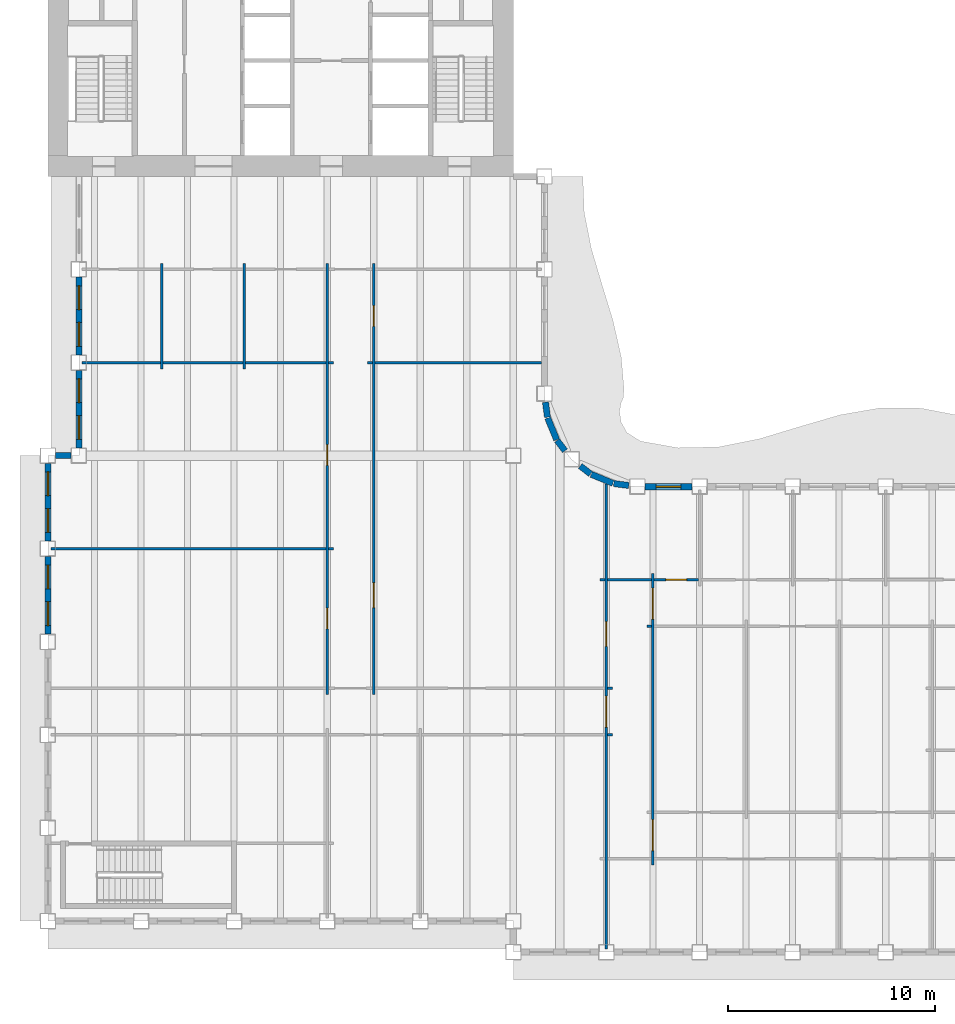
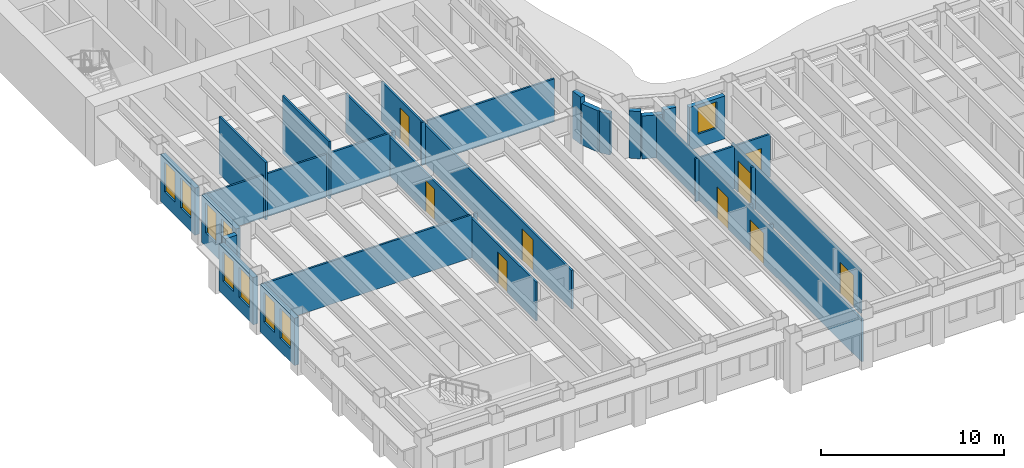
# One storey, part 4 of 16: 32 walls, 9 doors, 9 windows, 18 openings.
"""IFC4 building model written with IfcOpenShell, lengths in metres."""

from ifc_helpers import new_model, si_unit, direction, frame, frame_2d, origin, place, context, subcontext, project, spatial, rectangle, extrude, material, layer, layer_set, type_object, element, fill, save


model = new_model("IFC4")

# Units and contexts
model_context = context("Model", 3, precision=1e-05, world=origin(), true_north=direction((0.0, 1.0)))
body_context = subcontext(model_context, "Body", "Model", "MODEL_VIEW")
ifc_project = project(units=[si_unit("LENGTHUNIT", "METRE"), si_unit("AREAUNIT", "SQUARE_METRE"), si_unit("VOLUMEUNIT", "CUBIC_METRE"), si_unit("PLANEANGLEUNIT", "RADIAN"), si_unit("MASSUNIT", "GRAM", prefix="KILO")], contexts=[model_context])

# Site, building, storey
site_placement = place(None, origin())
site = spatial("IfcSite", under=ifc_project, at=site_placement, CompositionType="ELEMENT")
building_placement = place(site_placement, origin())
building = spatial("IfcBuilding", under=site, at=building_placement, Name="Sennacour Bend Tower", CompositionType="ELEMENT")
storey_placement = place(building_placement, frame((0.0, 0.0, 231.0)))
storey = spatial("IfcBuildingStorey", under=building, at=storey_placement, Name="L53", CompositionType="ELEMENT", Elevation=231.0)

# Walls
ifc_material_1 = material(Name="Plasterboard partition on steel studs", Category="steel")
ifc_layer_1 = layer(ifc_material_1, 0.1201171875, Name="Plasterboard partition on steel studs", Category="steel")
ifc_layer_set_1 = layer_set([ifc_layer_1], Name="Plasterboard partition on steel studs")
wall_type_1 = type_object("IfcWallType", Name="Partition 120", PredefinedType="PARTITIONING", material=ifc_layer_set_1)
for number, where, z_axis, x_axis, name in (
    (1, (5.5, 26.699951171875, 0.0), (0.0, 0.0, 1.0), (0.0, 1.0, 0.0), "P-L53-W007a"),
    (2, (9.5, 26.699951171875, 0.0), (0.0, 0.0, 1.0), (0.0, 1.0, 0.0), "P-L53-W012a"),
):
    element("IfcWall", number, at=place(storey_placement, frame(where, z_axis=z_axis, x_axis=x_axis)), inside=storey, type_object=wall_type_1, Name=name, PredefinedType="PARTITIONING", context=body_context, shape_type="SweptSolid", body=[
        extrude(rectangle(XDim=5.10009765625, YDim=0.1201171875, at=frame_2d((2.550048828125, 0.0))), origin(), (0.0, 0.0, 1.0), 3.85009765625),
    ])

# Wall, openings, doors
wall_1_placement = place(storey_placement, frame((13.5, 10.949951171875, 0.0), z_axis=(0.0, 0.0, 1.0), x_axis=(0.0, 1.0, 0.0)))
wall_1 = element("IfcWall", 3, at=wall_1_placement, inside=storey, type_object=wall_type_1, Name="P-L53-W016a", PredefinedType="PARTITIONING", context=body_context, shape_type="SweptSolid", body=[
    extrude(rectangle(XDim=20.85009765625, YDim=0.1201171875, at=frame_2d((10.425048828125, 0.0))), origin(), (0.0, 0.0, 1.0), 2.60009765625),
])
opening_1_placement = place(wall_1_placement, frame((3.175048828125, 0.0, 0.0)))
opening_1 = element("IfcOpeningElement", 4, at=opening_1_placement, cuts=wall_1, Name="Opening OD2", PredefinedType="OPENING", context=body_context, shape_type="SweptSolid", body=[
    extrude(rectangle(XDim=1.0, YDim=2.10009765625, at=frame_2d((0.5, 1.050048828125))), frame((0.0, 0.070068359375, 0.0), z_axis=(0.0, -1.0, 0.0), x_axis=(1.0, 0.0, 0.0)), (0.0, 0.0, 1.0), 0.14013671875),
])
opening_2_placement = place(wall_1_placement, frame((11.080078125, 0.0, 0.0)))
opening_2 = element("IfcOpeningElement", 5, at=opening_2_placement, cuts=wall_1, Name="Opening OD2", PredefinedType="OPENING", context=body_context, shape_type="SweptSolid", body=[
    extrude(rectangle(XDim=1.0, YDim=2.10009765625, at=frame_2d((0.5, 1.050048828125))), frame((0.0, 0.070068359375, 0.0), z_axis=(0.0, -1.0, 0.0), x_axis=(1.0, 0.0, 0.0)), (0.0, 0.0, 1.0), 0.14013671875),
])
ifc_material_2 = material(Name="Timber", Category="wood")
door_type_1 = type_object("IfcDoorType", Name="DR-OFFICE-1000", OperationType="NOTDEFINED", PredefinedType="DOOR", material=ifc_material_2)
door_1_placement = place(opening_1_placement, origin())
door_1 = element("IfcDoor", 6, at=door_1_placement, inside=storey, type_object=door_type_1, Name="Door", OperationType="SINGLE_SWING_LEFT", OverallHeight=2.10009765625, OverallWidth=1.0, PredefinedType="DOOR", context=body_context, shape_type="SweptSolid", body=[
    extrude(rectangle(XDim=1.0, YDim=2.10009765625, at=frame_2d((0.5, 1.050048828125))), frame((0.0, 0.02490234375, 0.0), z_axis=(0.0, -1.0, 0.0), x_axis=(1.0, 0.0, 0.0)), (0.0, 0.0, 1.0), 0.050048828125),
])
fill(opening_1, door_1)
door_2_placement = place(opening_2_placement, origin())
door_2 = element("IfcDoor", 7, at=door_2_placement, inside=storey, type_object=door_type_1, Name="Door", OperationType="SINGLE_SWING_RIGHT", OverallHeight=2.10009765625, OverallWidth=1.0, PredefinedType="DOOR", context=body_context, shape_type="SweptSolid", body=[
    extrude(rectangle(XDim=1.0, YDim=2.10009765625, at=frame_2d((0.5, 1.050048828125))), frame((0.0, 0.02490234375, 0.0), z_axis=(0.0, -1.0, 0.0), x_axis=(1.0, 0.0, 0.0)), (0.0, 0.0, 1.0), 0.050048828125),
])
fill(opening_2, door_2)

wall_2_placement = place(storey_placement, frame((15.75, 10.949951171875, 0.0), z_axis=(0.0, 0.0, 1.0), x_axis=(0.0, 1.0, 0.0)))
wall_2 = element("IfcWall", 8, at=wall_2_placement, inside=storey, type_object=wall_type_1, Name="P-L53-W019a", PredefinedType="PARTITIONING", context=body_context, shape_type="SweptSolid", body=[
    extrude(rectangle(XDim=20.85009765625, YDim=0.1201171875, at=frame_2d((10.425048828125, 0.0))), origin(), (0.0, 0.0, 1.0), 2.60009765625),
])
opening_3_placement = place(wall_2_placement, frame((17.800048828125, 0.0, 0.0)))
opening_3 = element("IfcOpeningElement", 9, at=opening_3_placement, cuts=wall_2, Name="Opening MD2", PredefinedType="OPENING", context=body_context, shape_type="SweptSolid", body=[
    extrude(rectangle(XDim=1.0, YDim=2.10009765625, at=frame_2d((0.5, 1.050048828125))), frame((0.0, 0.070068359375, 0.0), z_axis=(0.0, -1.0, 0.0), x_axis=(1.0, 0.0, 0.0)), (0.0, 0.0, 1.0), 0.14013671875),
])
opening_4_placement = place(wall_2_placement, frame((4.199951171875, 0.0, 0.0)))
opening_4 = element("IfcOpeningElement", 10, at=opening_4_placement, cuts=wall_2, Name="Opening OD", PredefinedType="OPENING", context=body_context, shape_type="SweptSolid", body=[
    extrude(rectangle(XDim=1.199951171875, YDim=2.10009765625, at=frame_2d((0.60009765625, 1.050048828125))), frame((0.0, 0.070068359375, 0.0), z_axis=(0.0, -1.0, 0.0), x_axis=(1.0, 0.0, 0.0)), (0.0, 0.0, 1.0), 0.14013671875),
])
door_type_2 = type_object("IfcDoorType", Name="DR-MEETING-1000", OperationType="NOTDEFINED", PredefinedType="DOOR", material=ifc_material_2)
door_3_placement = place(opening_3_placement, origin())
door_3 = element("IfcDoor", 11, at=door_3_placement, inside=storey, type_object=door_type_2, Name="Door", OperationType="SINGLE_SWING_RIGHT", OverallHeight=2.10009765625, OverallWidth=1.0, PredefinedType="DOOR", context=body_context, shape_type="SweptSolid", body=[
    extrude(rectangle(XDim=1.0, YDim=2.10009765625, at=frame_2d((0.5, 1.050048828125))), frame((0.0, 0.02490234375, 0.0), z_axis=(0.0, -1.0, 0.0), x_axis=(1.0, 0.0, 0.0)), (0.0, 0.0, 1.0), 0.050048828125),
])
fill(opening_3, door_3)
door_type_3 = type_object("IfcDoorType", Name="DR-OFFICE-1200", OperationType="NOTDEFINED", PredefinedType="DOOR", material=ifc_material_2)
door_4_placement = place(opening_4_placement, origin())
door_4 = element("IfcDoor", 12, at=door_4_placement, inside=storey, type_object=door_type_3, Name="Door", OperationType="SINGLE_SWING_LEFT", OverallHeight=2.10009765625, OverallWidth=1.199951171875, PredefinedType="DOOR", context=body_context, shape_type="SweptSolid", body=[
    extrude(rectangle(XDim=1.199951171875, YDim=2.10009765625, at=frame_2d((0.60009765625, 1.050048828125))), frame((0.0, 0.02490234375, 0.0), z_axis=(0.0, -1.0, 0.0), x_axis=(1.0, 0.0, 0.0)), (0.0, 0.0, 1.0), 0.050048828125),
])
fill(opening_4, door_4)

# Walls
for number, where, z_axis, x_axis, name in (
    (13, (27.06005859375, 9.0, 0.0), (0.0, 0.0, 1.0), (1.0, 0.0, 0.0), "P-L53-W062ad"),
    (14, (27.06005859375, 11.25, 0.0), (0.0, 0.0, 1.0), (1.0, 0.0, 0.0), "P-L53-W065ad"),
    (15, (28.949951171875, 14.25, 0.0), (0.0, 0.0, 1.0), (1.0, 0.0, 0.0), "P-L53-W069aa"),
    (16, (26.699951171875, 16.5, 0.0), (0.0, 0.0, 1.0), (1.0, 0.0, 0.0), "P-L53-W072aa"),
):
    element("IfcWall", number, at=place(storey_placement, frame(where, z_axis=z_axis, x_axis=x_axis)), inside=storey, type_object=wall_type_1, Name=name, PredefinedType="PARTITIONING", context=body_context, shape_type="SweptSolid", body=[
        extrude(rectangle(XDim=0.239990234375, YDim=0.1201171875, at=frame_2d((0.1201171875, 0.0))), origin(), (0.0, 0.0, 1.0), 2.8701171875),
    ])
wall_3_placement = place(storey_placement, frame((27.06005859375, 16.5, 0.0), z_axis=(0.0, 0.0, 1.0), x_axis=(1.0, 0.0, 0.0)))
element("IfcWall", 17, at=wall_3_placement, inside=storey, type_object=wall_type_1, Name="P-L53-W072ab", PredefinedType="PARTITIONING", context=body_context, shape_type="SweptSolid", body=[
    extrude(rectangle(XDim=2.1298828125, YDim=0.1201171875, at=frame_2d((1.06494140625, 0.0))), origin(), (0.0, 0.0, 1.0), 2.8701171875),
])

# Wall, opening, door
wall_4_placement = place(storey_placement, frame((29.31005859375, 16.5, 0.0), z_axis=(0.0, 0.0, 1.0), x_axis=(1.0, 0.0, 0.0)))
wall_4 = element("IfcWall", 18, at=wall_4_placement, inside=storey, type_object=wall_type_1, Name="P-L53-W072ac", PredefinedType="PARTITIONING", context=body_context, shape_type="SweptSolid", body=[
    extrude(rectangle(XDim=2.1298828125, YDim=0.1201171875, at=frame_2d((1.06494140625, 0.0))), origin(), (0.0, 0.0, 1.0), 2.8701171875),
])
opening_5_placement = place(wall_4_placement, frame((0.56494140625, 0.0, 0.0)))
opening_5 = element("IfcOpeningElement", 19, at=opening_5_placement, cuts=wall_4, Name="Opening OD2", PredefinedType="OPENING", context=body_context, shape_type="SweptSolid", body=[
    extrude(rectangle(XDim=1.0, YDim=2.10009765625, at=frame_2d((0.5, 1.050048828125))), frame((0.0, 0.070068359375, 0.0), z_axis=(0.0, -1.0, 0.0), x_axis=(1.0, 0.0, 0.0)), (0.0, 0.0, 1.0), 0.14013671875),
])
door_5_placement = place(opening_5_placement, origin())
door_5 = element("IfcDoor", 20, at=door_5_placement, inside=storey, type_object=door_type_1, Name="Door", OperationType="SINGLE_SWING_LEFT", OverallHeight=2.10009765625, OverallWidth=1.0, PredefinedType="DOOR", context=body_context, shape_type="SweptSolid", body=[
    extrude(rectangle(XDim=1.0, YDim=2.10009765625, at=frame_2d((0.5, 1.050048828125))), frame((0.0, 0.02490234375, 0.0), z_axis=(0.0, -1.0, 0.0), x_axis=(1.0, 0.0, 0.0)), (0.0, 0.0, 1.0), 0.050048828125),
])
fill(opening_5, door_5)

# Walls
wall_5_placement = place(storey_placement, frame((0.14990234375, 18.0, 0.0), z_axis=(0.0, 0.0, 1.0), x_axis=(1.0, 0.0, 0.0)))
element("IfcWall", 21, at=wall_5_placement, inside=storey, type_object=wall_type_1, Name="P-L53-W073aa", PredefinedType="PARTITIONING", context=body_context, shape_type="SweptSolid", body=[
    extrude(rectangle(XDim=13.2900390625, YDim=0.1201171875, at=frame_2d((6.64501953125, 0.0))), origin(), (0.0, 0.0, 1.0), 2.8701171875),
])
wall_6_placement = place(storey_placement, frame((13.56005859375, 18.0, 0.0), z_axis=(0.0, 0.0, 1.0), x_axis=(1.0, 0.0, 0.0)))
element("IfcWall", 22, at=wall_6_placement, inside=storey, type_object=wall_type_1, Name="P-L53-W073ab", PredefinedType="PARTITIONING", context=body_context, shape_type="SweptSolid", body=[
    extrude(rectangle(XDim=0.239990234375, YDim=0.1201171875, at=frame_2d((0.1201171875, 0.0))), origin(), (0.0, 0.0, 1.0), 2.8701171875),
])
wall_7_placement = place(storey_placement, frame((1.64990234375, 27.0, 0.0), z_axis=(0.0, 0.0, 1.0), x_axis=(1.0, 0.0, 0.0)))
element("IfcWall", 23, at=wall_7_placement, inside=storey, type_object=wall_type_1, Name="P-L53-W080aa", PredefinedType="PARTITIONING", context=body_context, shape_type="SweptSolid", body=[
    extrude(rectangle(XDim=3.7900390625, YDim=0.1201171875, at=frame_2d((1.89501953125, 0.0))), origin(), (0.0, 0.0, 1.0), 2.8701171875),
])
for number, where, z_axis, x_axis, name in (
    (24, (5.56005859375, 27.0, 0.0), (0.0, 0.0, 1.0), (1.0, 0.0, 0.0), "P-L53-W080ab"),
    (25, (9.56005859375, 27.0, 0.0), (0.0, 0.0, 1.0), (1.0, 0.0, 0.0), "P-L53-W080ac"),
):
    element("IfcWall", number, at=place(storey_placement, frame(where, z_axis=z_axis, x_axis=x_axis)), inside=storey, type_object=wall_type_1, Name=name, PredefinedType="PARTITIONING", context=body_context, shape_type="SweptSolid", body=[
        extrude(rectangle(XDim=3.8798828125, YDim=0.1201171875, at=frame_2d((1.93994140625, 0.0))), origin(), (0.0, 0.0, 1.0), 2.8701171875),
    ])
for number, where, z_axis, x_axis, name in (
    (26, (13.56005859375, 27.0, 0.0), (0.0, 0.0, 1.0), (1.0, 0.0, 0.0), "P-L53-W080ad"),
    (27, (15.449951171875, 27.0, 0.0), (0.0, 0.0, 1.0), (1.0, 0.0, 0.0), "P-L53-W081aa"),
):
    element("IfcWall", number, at=place(storey_placement, frame(where, z_axis=z_axis, x_axis=x_axis)), inside=storey, type_object=wall_type_1, Name=name, PredefinedType="PARTITIONING", context=body_context, shape_type="SweptSolid", body=[
        extrude(rectangle(XDim=0.239990234375, YDim=0.1201171875, at=frame_2d((0.1201171875, 0.0))), origin(), (0.0, 0.0, 1.0), 2.8701171875),
    ])
wall_8_placement = place(storey_placement, frame((15.81005859375, 27.0, 0.0), z_axis=(0.0, 0.0, 1.0), x_axis=(1.0, 0.0, 0.0)))
element("IfcWall", 28, at=wall_8_placement, inside=storey, type_object=wall_type_1, Name="P-L53-W081ab", PredefinedType="PARTITIONING", context=body_context, shape_type="SweptSolid", body=[
    extrude(rectangle(XDim=8.0400390625, YDim=0.1201171875, at=frame_2d((4.02001953125, 0.0))), origin(), (0.0, 0.0, 1.0), 2.8701171875),
])

# Wall, openings, doors
ifc_layer_2 = layer(ifc_material_1, 0.1201171875, Name="Plasterboard partition on steel studs", Category="steel")
ifc_layer_set_2 = layer_set([ifc_layer_2], Name="Plasterboard partition on steel studs")
wall_type_2 = type_object("IfcWallType", Name="Partition 120 EI 30", PredefinedType="PARTITIONING", material=ifc_layer_set_2)
wall_9_placement = place(storey_placement, frame((27.0, -1.35009765625, 0.0), z_axis=(0.0, 0.0, 1.0), x_axis=(0.0, 1.0, 0.0)))
wall_9 = element("IfcWall", 29, at=wall_9_placement, inside=storey, type_object=wall_type_2, Name="P-L53-W026a", PredefinedType="PARTITIONING", context=body_context, shape_type="SweptSolid", body=[
    extrude(rectangle(XDim=22.47998046875, YDim=0.1201171875, at=frame_2d((11.239990234375, 0.0))), origin(), (0.0, 0.0, 1.0), 2.8701171875),
])
opening_6_placement = place(wall_9_placement, frame((10.72509765625, 0.0, 0.0)))
opening_6 = element("IfcOpeningElement", 30, at=opening_6_placement, cuts=wall_9, Name="Opening KD", PredefinedType="OPENING", context=body_context, shape_type="SweptSolid", body=[
    extrude(rectangle(XDim=1.5, YDim=2.10009765625, at=frame_2d((0.75, 1.050048828125))), frame((0.0, 0.070068359375, 0.0), z_axis=(0.0, -1.0, 0.0), x_axis=(1.0, 0.0, 0.0)), (0.0, 0.0, 1.0), 0.14013671875),
])
opening_7_placement = place(wall_9_placement, frame((14.625, 0.0, 0.0)))
opening_7 = element("IfcOpeningElement", 31, at=opening_7_placement, cuts=wall_9, Name="Opening OD", PredefinedType="OPENING", context=body_context, shape_type="SweptSolid", body=[
    extrude(rectangle(XDim=1.199951171875, YDim=2.10009765625, at=frame_2d((0.60009765625, 1.050048828125))), frame((0.0, 0.070068359375, 0.0), z_axis=(0.0, -1.0, 0.0), x_axis=(1.0, 0.0, 0.0)), (0.0, 0.0, 1.0), 0.14013671875),
])
ifc_material_3 = material(Name="Painted steel", Category="steel")
door_type_4 = type_object("IfcDoorType", Name="DR-CORRIDOR-1500", OperationType="NOTDEFINED", PredefinedType="DOOR", material=ifc_material_3)
door_6_placement = place(opening_6_placement, origin())
door_6 = element("IfcDoor", 32, at=door_6_placement, inside=storey, type_object=door_type_4, Name="Door", OperationType="SINGLE_SWING_RIGHT", OverallHeight=2.10009765625, OverallWidth=1.5, PredefinedType="DOOR", context=body_context, shape_type="SweptSolid", body=[
    extrude(rectangle(XDim=1.5, YDim=2.10009765625, at=frame_2d((0.75, 1.050048828125))), frame((0.0, 0.02490234375, 0.0), z_axis=(0.0, -1.0, 0.0), x_axis=(1.0, 0.0, 0.0)), (0.0, 0.0, 1.0), 0.050048828125),
])
fill(opening_6, door_6)
door_7_placement = place(opening_7_placement, origin())
door_7 = element("IfcDoor", 33, at=door_7_placement, inside=storey, type_object=door_type_3, Name="Door", OperationType="SINGLE_SWING_RIGHT", OverallHeight=2.10009765625, OverallWidth=1.199951171875, PredefinedType="DOOR", context=body_context, shape_type="SweptSolid", body=[
    extrude(rectangle(XDim=1.199951171875, YDim=2.10009765625, at=frame_2d((0.60009765625, 1.050048828125))), frame((0.0, 0.02490234375, 0.0), z_axis=(0.0, -1.0, 0.0), x_axis=(1.0, 0.0, 0.0)), (0.0, 0.0, 1.0), 0.050048828125),
])
fill(opening_7, door_7)

wall_10_placement = place(storey_placement, frame((29.25, 2.699951171875, 0.0), z_axis=(0.0, 0.0, 1.0), x_axis=(0.0, 1.0, 0.0)))
wall_10 = element("IfcWall", 34, at=wall_10_placement, inside=storey, type_object=wall_type_2, Name="P-L53-W027a", PredefinedType="PARTITIONING", context=body_context, shape_type="SweptSolid", body=[
    extrude(rectangle(XDim=14.10009765625, YDim=0.1201171875, at=frame_2d((7.050048828125, 0.0))), origin(), (0.0, 0.0, 1.0), 2.8701171875),
])
opening_8_placement = place(wall_10_placement, frame((0.705078125, 0.0, 0.0)))
opening_8 = element("IfcOpeningElement", 35, at=opening_8_placement, cuts=wall_10, Name="Opening KD", PredefinedType="OPENING", context=body_context, shape_type="SweptSolid", body=[
    extrude(rectangle(XDim=1.5, YDim=2.10009765625, at=frame_2d((0.75, 1.050048828125))), frame((0.0, 0.070068359375, 0.0), z_axis=(0.0, -1.0, 0.0), x_axis=(1.0, 0.0, 0.0)), (0.0, 0.0, 1.0), 0.14013671875),
])
opening_9_placement = place(wall_10_placement, frame((11.89501953125, 0.0, 0.0)))
opening_9 = element("IfcOpeningElement", 36, at=opening_9_placement, cuts=wall_10, Name="Opening KD", PredefinedType="OPENING", context=body_context, shape_type="SweptSolid", body=[
    extrude(rectangle(XDim=1.5, YDim=2.10009765625, at=frame_2d((0.75, 1.050048828125))), frame((0.0, 0.070068359375, 0.0), z_axis=(0.0, -1.0, 0.0), x_axis=(1.0, 0.0, 0.0)), (0.0, 0.0, 1.0), 0.14013671875),
])
door_8_placement = place(opening_8_placement, origin())
door_8 = element("IfcDoor", 37, at=door_8_placement, inside=storey, type_object=door_type_4, Name="Door", OperationType="SINGLE_SWING_LEFT", OverallHeight=2.10009765625, OverallWidth=1.5, PredefinedType="DOOR", context=body_context, shape_type="SweptSolid", body=[
    extrude(rectangle(XDim=1.5, YDim=2.10009765625, at=frame_2d((0.75, 1.050048828125))), frame((0.0, 0.02490234375, 0.0), z_axis=(0.0, -1.0, 0.0), x_axis=(1.0, 0.0, 0.0)), (0.0, 0.0, 1.0), 0.050048828125),
])
fill(opening_8, door_8)
door_9_placement = place(opening_9_placement, origin())
door_9 = element("IfcDoor", 38, at=door_9_placement, inside=storey, type_object=door_type_4, Name="Door", OperationType="SINGLE_SWING_RIGHT", OverallHeight=2.10009765625, OverallWidth=1.5, PredefinedType="DOOR", context=body_context, shape_type="SweptSolid", body=[
    extrude(rectangle(XDim=1.5, YDim=2.10009765625, at=frame_2d((0.75, 1.050048828125))), frame((0.0, 0.02490234375, 0.0), z_axis=(0.0, -1.0, 0.0), x_axis=(1.0, 0.0, 0.0)), (0.0, 0.0, 1.0), 0.050048828125),
])
fill(opening_9, door_9)

# Wall, opening, window
ifc_material_4 = material(Name="Warm limestone cladding", Category="masonry")
ifc_layer_3 = layer(ifc_material_4, 0.050048828125, Name="Warm limestone cladding", Category="masonry")
ifc_material_5 = material(Name="Precast concrete C40/50", Category="concrete")
ifc_layer_4 = layer(ifc_material_5, 0.25, Name="Precast concrete C40/50", Category="concrete")
ifc_layer_set_3 = layer_set([ifc_layer_3, ifc_layer_4], Name="Precast concrete C40/50 with limestone cladding")
wall_type_3 = type_object("IfcWallType", Name="STONE-CLAD PRECAST SPANDREL 300", PredefinedType="STANDARD", material=ifc_layer_set_3)
wall_11_placement = place(storey_placement, frame((31.125, 21.0, 0.0), z_axis=(0.0, 0.0, 1.0), x_axis=(-1.0, 0.0, 0.0)))
wall_11 = element("IfcWall", 39, at=wall_11_placement, inside=storey, type_object=wall_type_3, Name="Stone spandrel and pier wall L53 06.05", PredefinedType="STANDARD", context=body_context, shape_type="SweptSolid", body=[
    extrude(rectangle(XDim=2.25, YDim=0.300048828125, at=frame_2d((1.125, 0.0))), origin(), (0.0, 0.0, 1.0), 2.8701171875),
])
opening_10_placement = place(wall_11_placement, frame((0.52490234375, 0.0, 0.89990234375)))
opening_10 = element("IfcOpeningElement", 40, at=opening_10_placement, cuts=wall_11, Name="Opening W16", PredefinedType="OPENING", context=body_context, shape_type="SweptSolid", body=[
    extrude(rectangle(XDim=1.199951171875, YDim=1.75, at=frame_2d((0.60009765625, 0.875))), frame((0.0, 0.16015625, 0.0), z_axis=(0.0, -1.0, 0.0), x_axis=(1.0, 0.0, 0.0)), (0.0, 0.0, 1.0), 0.320068359375),
])
ifc_material_6 = material(Name="Clear low-emissivity glass", Category="glass")
window_type_1 = type_object("IfcWindowType", Name="WIN-RIBBON-1200x1750", PartitioningType="SINGLE_PANEL", PredefinedType="WINDOW", material=ifc_material_6)
window_1_placement = place(opening_10_placement, origin())
window_1 = element("IfcWindow", 41, at=window_1_placement, inside=storey, type_object=window_type_1, Name="Ribbon window L53 06.05", OverallHeight=1.75, OverallWidth=1.199951171875, PartitioningType="SINGLE_PANEL", PredefinedType="WINDOW", context=body_context, shape_type="SweptSolid", body=[
    extrude(rectangle(XDim=1.199951171875, YDim=1.75, at=frame_2d((0.60009765625, 0.875))), frame((0.0, 0.030029296875, 0.0), z_axis=(0.0, -1.0, 0.0), x_axis=(1.0, 0.0, 0.0)), (0.0, 0.0, 1.0), 0.06005859375),
])
fill(opening_10, window_1)

# Walls
wall_12_placement = place(storey_placement, frame((28.0830078125, 21.054931640625, 0.0), z_axis=(0.0, 0.0, 1.0), x_axis=(-0.99142711513, 0.130660917588, 0.0)))
element("IfcWall", 42, at=wall_12_placement, inside=storey, type_object=wall_type_3, Name="Stone spandrel and pier wall L53 07.00", PredefinedType="STANDARD", context=body_context, shape_type="SweptSolid", body=[
    extrude(rectangle(XDim=0.734375, YDim=0.300048828125, at=frame_2d((0.3671875, 0.0))), origin(), (0.0, 0.0, 1.0), 3.156982421875),
])
wall_13_placement = place(storey_placement, frame((27.317138671875, 21.160888671875, 0.0), z_axis=(0.0, 0.0, 1.0), x_axis=(-0.923914616768, 0.382598720491, 0.0)))
element("IfcWall", 43, at=wall_13_placement, inside=storey, type_object=wall_type_3, Name="Stone spandrel and pier wall L53 08.00", PredefinedType="STANDARD", context=body_context, shape_type="SweptSolid", body=[
    extrude(rectangle(XDim=1.13525390625, YDim=0.300048828125, at=frame_2d((0.567626953125, 0.0))), origin(), (0.0, 0.0, 1.0), 2.8701171875),
])
wall_14_placement = place(storey_placement, frame((26.234375, 21.614990234375, 0.0), z_axis=(0.0, 0.0, 1.0), x_axis=(-0.793575131083, 0.608472276547, 0.0)))
element("IfcWall", 44, at=wall_14_placement, inside=storey, type_object=wall_type_3, Name="Stone spandrel and pier wall L53 09.00", PredefinedType="STANDARD", context=body_context, shape_type="SweptSolid", body=[
    extrude(rectangle(XDim=0.629150390625, YDim=0.300048828125, at=frame_2d((0.314453125, 0.0))), origin(), (0.0, 0.0, 1.0), 3.156982421875),
])
wall_15_placement = place(storey_placement, frame((24.997802734375, 22.735107421875, 0.0), z_axis=(0.0, 0.0, 1.0), x_axis=(-0.608472276547, 0.793575131083, 0.0)))
element("IfcWall", 45, at=wall_15_placement, inside=storey, type_object=wall_type_3, Name="Stone spandrel and pier wall L53 10.00", PredefinedType="STANDARD", context=body_context, shape_type="SweptSolid", body=[
    extrude(rectangle(XDim=0.629150390625, YDim=0.300048828125, at=frame_2d((0.314453125, 0.0))), origin(), (0.0, 0.0, 1.0), 2.760009765625),
])
wall_16_placement = place(storey_placement, frame((24.59521484375, 23.268310546875, 0.0), z_axis=(0.0, 0.0, 1.0), x_axis=(-0.382598720491, 0.923914616768, 0.0)))
element("IfcWall", 46, at=wall_16_placement, inside=storey, type_object=wall_type_3, Name="Stone spandrel and pier wall L53 11.00", PredefinedType="STANDARD", context=body_context, shape_type="SweptSolid", body=[
    extrude(rectangle(XDim=1.13525390625, YDim=0.300048828125, at=frame_2d((0.567626953125, 0.0))), origin(), (0.0, 0.0, 1.0), 2.760009765625),
])
wall_17_placement = place(storey_placement, frame((24.15087890625, 24.35498046875, 0.0), z_axis=(0.0, 0.0, 1.0), x_axis=(-0.130660917588, 0.99142711513, 0.0)))
element("IfcWall", 47, at=wall_17_placement, inside=storey, type_object=wall_type_3, Name="Stone spandrel and pier wall L53 12.00", PredefinedType="STANDARD", context=body_context, shape_type="SweptSolid", body=[
    extrude(rectangle(XDim=0.734375, YDim=0.300048828125, at=frame_2d((0.3671875, 0.0))), origin(), (0.0, 0.0, 1.0), 3.156982421875),
])

# Wall, openings, windows
wall_18_placement = place(storey_placement, frame((1.5, 31.125, 0.0), z_axis=(0.0, 0.0, 1.0), x_axis=(0.0, -1.0, 0.0)))
wall_18 = element("IfcWall", 48, at=wall_18_placement, inside=storey, type_object=wall_type_3, Name="Stone spandrel and pier wall L53 19.01", PredefinedType="STANDARD", context=body_context, shape_type="SweptSolid", body=[
    extrude(rectangle(XDim=3.75, YDim=0.300048828125, at=frame_2d((1.875, 0.0))), origin(), (0.0, 0.0, 1.0), 3.156982421875),
])
opening_11_placement = place(wall_18_placement, frame((0.41259765625, 0.0, 0.89990234375)))
opening_11 = element("IfcOpeningElement", 49, at=opening_11_placement, cuts=wall_18, Name="Opening W24", PredefinedType="OPENING", context=body_context, shape_type="SweptSolid", body=[
    extrude(rectangle(XDim=1.14990234375, YDim=2.0, at=frame_2d((0.574951171875, 1.0))), frame((0.0, 0.16015625, 0.0), z_axis=(0.0, -1.0, 0.0), x_axis=(1.0, 0.0, 0.0)), (0.0, 0.0, 1.0), 0.320068359375),
])
opening_12_placement = place(wall_18_placement, frame((2.1875, 0.0, 0.89990234375)))
opening_12 = element("IfcOpeningElement", 50, at=opening_12_placement, cuts=wall_18, Name="Opening W24", PredefinedType="OPENING", context=body_context, shape_type="SweptSolid", body=[
    extrude(rectangle(XDim=1.14990234375, YDim=2.0, at=frame_2d((0.574951171875, 1.0))), frame((0.0, 0.16015625, 0.0), z_axis=(0.0, -1.0, 0.0), x_axis=(1.0, 0.0, 0.0)), (0.0, 0.0, 1.0), 0.320068359375),
])
window_type_2 = type_object("IfcWindowType", Name="WIN-RIBBON-1150x2000", PartitioningType="SINGLE_PANEL", PredefinedType="WINDOW", material=ifc_material_6)
window_2_placement = place(opening_11_placement, origin())
window_2 = element("IfcWindow", 51, at=window_2_placement, inside=storey, type_object=window_type_2, Name="Ribbon window L53 19.01.0", OverallHeight=2.0, OverallWidth=1.14990234375, PartitioningType="SINGLE_PANEL", PredefinedType="WINDOW", context=body_context, shape_type="SweptSolid", body=[
    extrude(rectangle(XDim=1.14990234375, YDim=2.0, at=frame_2d((0.574951171875, 1.0))), frame((0.0, 0.030029296875, 0.0), z_axis=(0.0, -1.0, 0.0), x_axis=(1.0, 0.0, 0.0)), (0.0, 0.0, 1.0), 0.06005859375),
])
fill(opening_11, window_2)
window_3_placement = place(opening_12_placement, origin())
window_3 = element("IfcWindow", 52, at=window_3_placement, inside=storey, type_object=window_type_2, Name="Ribbon window L53 19.01.1", OverallHeight=2.0, OverallWidth=1.14990234375, PartitioningType="SINGLE_PANEL", PredefinedType="WINDOW", context=body_context, shape_type="SweptSolid", body=[
    extrude(rectangle(XDim=1.14990234375, YDim=2.0, at=frame_2d((0.574951171875, 1.0))), frame((0.0, 0.030029296875, 0.0), z_axis=(0.0, -1.0, 0.0), x_axis=(1.0, 0.0, 0.0)), (0.0, 0.0, 1.0), 0.06005859375),
])
fill(opening_12, window_3)

wall_19_placement = place(storey_placement, frame((1.5, 26.625, 0.0), z_axis=(0.0, 0.0, 1.0), x_axis=(0.0, -1.0, 0.0)))
wall_19 = element("IfcWall", 53, at=wall_19_placement, inside=storey, type_object=wall_type_3, Name="Stone spandrel and pier wall L53 19.02", PredefinedType="STANDARD", context=body_context, shape_type="SweptSolid", body=[
    extrude(rectangle(XDim=3.75, YDim=0.300048828125, at=frame_2d((1.875, 0.0))), origin(), (0.0, 0.0, 1.0), 3.156982421875),
])
opening_13_placement = place(wall_19_placement, frame((0.41259765625, 0.0, 0.89990234375)))
opening_13 = element("IfcOpeningElement", 54, at=opening_13_placement, cuts=wall_19, Name="Opening W24", PredefinedType="OPENING", context=body_context, shape_type="SweptSolid", body=[
    extrude(rectangle(XDim=1.14990234375, YDim=2.0, at=frame_2d((0.574951171875, 1.0))), frame((0.0, 0.16015625, 0.0), z_axis=(0.0, -1.0, 0.0), x_axis=(1.0, 0.0, 0.0)), (0.0, 0.0, 1.0), 0.320068359375),
])
opening_14_placement = place(wall_19_placement, frame((2.1875, 0.0, 0.89990234375)))
opening_14 = element("IfcOpeningElement", 55, at=opening_14_placement, cuts=wall_19, Name="Opening W24", PredefinedType="OPENING", context=body_context, shape_type="SweptSolid", body=[
    extrude(rectangle(XDim=1.14990234375, YDim=2.0, at=frame_2d((0.574951171875, 1.0))), frame((0.0, 0.16015625, 0.0), z_axis=(0.0, -1.0, 0.0), x_axis=(1.0, 0.0, 0.0)), (0.0, 0.0, 1.0), 0.320068359375),
])
window_4_placement = place(opening_13_placement, origin())
window_4 = element("IfcWindow", 56, at=window_4_placement, inside=storey, type_object=window_type_2, Name="Ribbon window L53 19.02.0", OverallHeight=2.0, OverallWidth=1.14990234375, PartitioningType="SINGLE_PANEL", PredefinedType="WINDOW", context=body_context, shape_type="SweptSolid", body=[
    extrude(rectangle(XDim=1.14990234375, YDim=2.0, at=frame_2d((0.574951171875, 1.0))), frame((0.0, 0.030029296875, 0.0), z_axis=(0.0, -1.0, 0.0), x_axis=(1.0, 0.0, 0.0)), (0.0, 0.0, 1.0), 0.06005859375),
])
fill(opening_13, window_4)
window_5_placement = place(opening_14_placement, origin())
window_5 = element("IfcWindow", 57, at=window_5_placement, inside=storey, type_object=window_type_2, Name="Ribbon window L53 19.02.1", OverallHeight=2.0, OverallWidth=1.14990234375, PartitioningType="SINGLE_PANEL", PredefinedType="WINDOW", context=body_context, shape_type="SweptSolid", body=[
    extrude(rectangle(XDim=1.14990234375, YDim=2.0, at=frame_2d((0.574951171875, 1.0))), frame((0.0, 0.030029296875, 0.0), z_axis=(0.0, -1.0, 0.0), x_axis=(1.0, 0.0, 0.0)), (0.0, 0.0, 1.0), 0.06005859375),
])
fill(opening_14, window_5)

# Wall
wall_20_placement = place(storey_placement, frame((1.125, 22.5, 0.0), z_axis=(0.0, 0.0, 1.0), x_axis=(-1.0, 0.0, 0.0)))
element("IfcWall", 58, at=wall_20_placement, inside=storey, type_object=wall_type_3, Name="Stone spandrel and pier wall L53 20.00", PredefinedType="STANDARD", context=body_context, shape_type="SweptSolid", body=[
    extrude(rectangle(XDim=0.75, YDim=0.300048828125, at=frame_2d((0.375, 0.0))), origin(), (0.0, 0.0, 1.0), 3.156982421875),
])

# Wall, openings, windows
wall_21_placement = place(storey_placement, frame((0.0, 22.125, 0.0), z_axis=(0.0, 0.0, 1.0), x_axis=(0.0, -1.0, 0.0)))
wall_21 = element("IfcWall", 59, at=wall_21_placement, inside=storey, type_object=wall_type_3, Name="Stone spandrel and pier wall L53 21.00", PredefinedType="STANDARD", context=body_context, shape_type="SweptSolid", body=[
    extrude(rectangle(XDim=3.75, YDim=0.300048828125, at=frame_2d((1.875, 0.0))), origin(), (0.0, 0.0, 1.0), 3.156982421875),
])
opening_15_placement = place(wall_21_placement, frame((0.41259765625, 0.0, 0.89990234375)))
opening_15 = element("IfcOpeningElement", 60, at=opening_15_placement, cuts=wall_21, Name="Opening W24", PredefinedType="OPENING", context=body_context, shape_type="SweptSolid", body=[
    extrude(rectangle(XDim=1.14990234375, YDim=2.0, at=frame_2d((0.574951171875, 1.0))), frame((0.0, 0.16015625, 0.0), z_axis=(0.0, -1.0, 0.0), x_axis=(1.0, 0.0, 0.0)), (0.0, 0.0, 1.0), 0.320068359375),
])
opening_16_placement = place(wall_21_placement, frame((2.1875, 0.0, 0.89990234375)))
opening_16 = element("IfcOpeningElement", 61, at=opening_16_placement, cuts=wall_21, Name="Opening W24", PredefinedType="OPENING", context=body_context, shape_type="SweptSolid", body=[
    extrude(rectangle(XDim=1.14990234375, YDim=2.0, at=frame_2d((0.574951171875, 1.0))), frame((0.0, 0.16015625, 0.0), z_axis=(0.0, -1.0, 0.0), x_axis=(1.0, 0.0, 0.0)), (0.0, 0.0, 1.0), 0.320068359375),
])
window_6_placement = place(opening_15_placement, origin())
window_6 = element("IfcWindow", 62, at=window_6_placement, inside=storey, type_object=window_type_2, Name="Ribbon window L53 21.00.0", OverallHeight=2.0, OverallWidth=1.14990234375, PartitioningType="SINGLE_PANEL", PredefinedType="WINDOW", context=body_context, shape_type="SweptSolid", body=[
    extrude(rectangle(XDim=1.14990234375, YDim=2.0, at=frame_2d((0.574951171875, 1.0))), frame((0.0, 0.030029296875, 0.0), z_axis=(0.0, -1.0, 0.0), x_axis=(1.0, 0.0, 0.0)), (0.0, 0.0, 1.0), 0.06005859375),
])
fill(opening_15, window_6)
window_7_placement = place(opening_16_placement, origin())
window_7 = element("IfcWindow", 63, at=window_7_placement, inside=storey, type_object=window_type_2, Name="Ribbon window L53 21.00.1", OverallHeight=2.0, OverallWidth=1.14990234375, PartitioningType="SINGLE_PANEL", PredefinedType="WINDOW", context=body_context, shape_type="SweptSolid", body=[
    extrude(rectangle(XDim=1.14990234375, YDim=2.0, at=frame_2d((0.574951171875, 1.0))), frame((0.0, 0.030029296875, 0.0), z_axis=(0.0, -1.0, 0.0), x_axis=(1.0, 0.0, 0.0)), (0.0, 0.0, 1.0), 0.06005859375),
])
fill(opening_16, window_7)

wall_22_placement = place(storey_placement, frame((0.0, 17.625, 0.0), z_axis=(0.0, 0.0, 1.0), x_axis=(0.0, -1.0, 0.0)))
wall_22 = element("IfcWall", 64, at=wall_22_placement, inside=storey, type_object=wall_type_3, Name="Stone spandrel and pier wall L53 21.01", PredefinedType="STANDARD", context=body_context, shape_type="SweptSolid", body=[
    extrude(rectangle(XDim=3.75, YDim=0.300048828125, at=frame_2d((1.875, 0.0))), origin(), (0.0, 0.0, 1.0), 3.156982421875),
])
opening_17_placement = place(wall_22_placement, frame((0.41259765625, 0.0, 0.89990234375)))
opening_17 = element("IfcOpeningElement", 65, at=opening_17_placement, cuts=wall_22, Name="Opening W24", PredefinedType="OPENING", context=body_context, shape_type="SweptSolid", body=[
    extrude(rectangle(XDim=1.14990234375, YDim=2.0, at=frame_2d((0.574951171875, 1.0))), frame((0.0, 0.16015625, 0.0), z_axis=(0.0, -1.0, 0.0), x_axis=(1.0, 0.0, 0.0)), (0.0, 0.0, 1.0), 0.320068359375),
])
opening_18_placement = place(wall_22_placement, frame((2.1875, 0.0, 0.89990234375)))
opening_18 = element("IfcOpeningElement", 66, at=opening_18_placement, cuts=wall_22, Name="Opening W24", PredefinedType="OPENING", context=body_context, shape_type="SweptSolid", body=[
    extrude(rectangle(XDim=1.14990234375, YDim=2.0, at=frame_2d((0.574951171875, 1.0))), frame((0.0, 0.16015625, 0.0), z_axis=(0.0, -1.0, 0.0), x_axis=(1.0, 0.0, 0.0)), (0.0, 0.0, 1.0), 0.320068359375),
])
window_8_placement = place(opening_17_placement, origin())
window_8 = element("IfcWindow", 67, at=window_8_placement, inside=storey, type_object=window_type_2, Name="Ribbon window L53 21.01.0", OverallHeight=2.0, OverallWidth=1.14990234375, PartitioningType="SINGLE_PANEL", PredefinedType="WINDOW", context=body_context, shape_type="SweptSolid", body=[
    extrude(rectangle(XDim=1.14990234375, YDim=2.0, at=frame_2d((0.574951171875, 1.0))), frame((0.0, 0.030029296875, 0.0), z_axis=(0.0, -1.0, 0.0), x_axis=(1.0, 0.0, 0.0)), (0.0, 0.0, 1.0), 0.06005859375),
])
fill(opening_17, window_8)
window_9_placement = place(opening_18_placement, origin())
window_9 = element("IfcWindow", 68, at=window_9_placement, inside=storey, type_object=window_type_2, Name="Ribbon window L53 21.01.1", OverallHeight=2.0, OverallWidth=1.14990234375, PartitioningType="SINGLE_PANEL", PredefinedType="WINDOW", context=body_context, shape_type="SweptSolid", body=[
    extrude(rectangle(XDim=1.14990234375, YDim=2.0, at=frame_2d((0.574951171875, 1.0))), frame((0.0, 0.030029296875, 0.0), z_axis=(0.0, -1.0, 0.0), x_axis=(1.0, 0.0, 0.0)), (0.0, 0.0, 1.0), 0.06005859375),
])
fill(opening_18, window_9)

save(model, "model.ifc")
